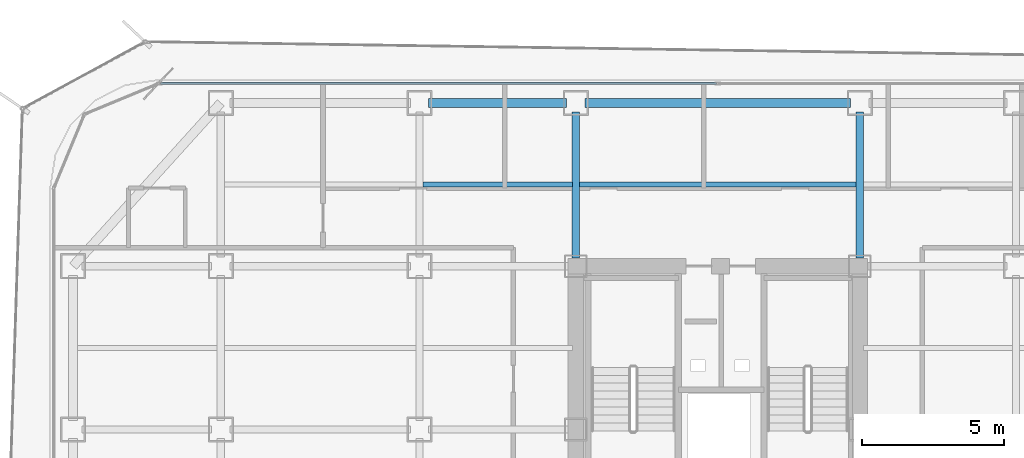
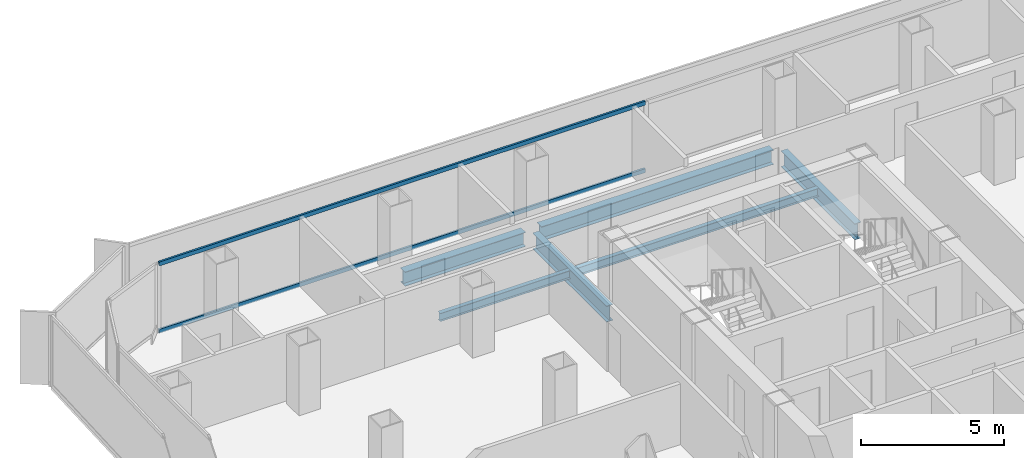
# One storey, part 11 of 21: 6 beams, 2 members, 1 element without a shape of its own.
"""IFC4 building model written with IfcOpenShell, lengths in metres."""

from ifc_helpers import new_model, si_unit, direction, frame, origin, origin_2d, place, context, subcontext, project, spatial, hollow_rectangle, i_section, extrude, source, transform, mapped, material, layer, layer_set, material_profile, profile_set, type_object, element, aggregate, save


model = new_model("IFC4")

# Units and contexts
model_context = context("Model", 3, precision=1e-05, world=origin(), true_north=direction((0.0, 1.0)))
body_context = subcontext(model_context, "Body", "Model", "MODEL_VIEW")
ifc_project = project(units=[si_unit("LENGTHUNIT", "METRE"), si_unit("AREAUNIT", "SQUARE_METRE"), si_unit("VOLUMEUNIT", "CUBIC_METRE"), si_unit("PLANEANGLEUNIT", "RADIAN"), si_unit("MASSUNIT", "GRAM", prefix="KILO")], contexts=[model_context])

# Site, building, storey
site_placement = place(None, origin())
site = spatial("IfcSite", under=ifc_project, at=site_placement, CompositionType="ELEMENT")
building_placement = place(site_placement, origin())
building = spatial("IfcBuilding", under=site, at=building_placement, Name="Kolveth Station Tower", CompositionType="ELEMENT")
storey_placement = place(building_placement, frame((0.0, 0.0, 127.89990234375)))
storey = spatial("IfcBuildingStorey", under=building, at=storey_placement, Name="L35", CompositionType="ELEMENT", Elevation=127.89990234375)

# Beams
ifc_material_1 = material(Name="Steel S355", Category="steel")
ifc_material_profile_1 = material_profile(ifc_material_1, i_section(OverallWidth=0.323974609375, OverallDepth=0.611083984375, WebThickness=0.0126953125, FlangeThickness=0.01904296875, at=origin_2d()), Name="W610x155")
ifc_profile_set_1 = profile_set([ifc_material_profile_1], Name="Steel S355")
beam_type_1 = type_object("IfcBeamType", Name="Beam_SP2", PredefinedType="SPANDREL", material=ifc_profile_set_1)
shared_shape_1 = source(origin(), body_context, "Body", "SweptSolid", [
    extrude(i_section(OverallWidth=0.323974609375, OverallDepth=0.611083984375, WebThickness=0.0126953125, FlangeThickness=0.01904296875, at=origin_2d()), origin(), (0.0, 0.0, 1.0), 4.85986328125),
])
beam_1_placement = place(storey_placement, frame((13.320068359375, 34.5, -0.555419921875), z_axis=(1.0, 0.0, 0.0), x_axis=(0.0, 1.0, 0.0)))
element("IfcBeam", 1, at=beam_1_placement, inside=storey, type_object=beam_type_1, Name="L35 Perimeter Spandrel BM-L35-PN-2", PredefinedType="SPANDREL", context=body_context, shape_type="MappedRepresentation", body=[
    mapped(shared_shape_1, transform((0.0, 0.0, 0.0), x_axis=(1.0, 0.0, 0.0), y_axis=(0.0, 1.0, 0.0), z_axis=(0.0, 0.0, 1.0), scale=1.0)),
])
shared_shape_2 = source(origin(), body_context, "Body", "SweptSolid", [
    extrude(i_section(OverallWidth=0.323974609375, OverallDepth=0.611083984375, WebThickness=0.0126953125, FlangeThickness=0.01904296875, at=origin_2d()), origin(), (0.0, 0.0, 1.0), 9.35986328125),
])
beam_2_placement = place(storey_placement, frame((18.820068359375, 34.5, -0.555419921875), z_axis=(1.0, 0.0, 0.0), x_axis=(0.0, 1.0, 0.0)))
element("IfcBeam", 2, at=beam_2_placement, inside=storey, type_object=beam_type_1, Name="L35 Perimeter Spandrel BM-L35-PN-3", PredefinedType="SPANDREL", context=body_context, shape_type="MappedRepresentation", body=[
    mapped(shared_shape_2, transform((0.0, 0.0, 0.0), x_axis=(1.0, 0.0, 0.0), y_axis=(0.0, 1.0, 0.0), z_axis=(0.0, 0.0, 1.0), scale=1.0)),
])
ifc_material_profile_2 = material_profile(ifc_material_1, i_section(OverallWidth=0.25390625, OverallDepth=0.68798828125, WebThickness=0.01318359375, FlangeThickness=0.02099609375, at=origin_2d()), Name="W690x152")
ifc_profile_set_2 = profile_set([ifc_material_profile_2], Name="Steel S355")
beam_type_2 = type_object("IfcBeamType", Name="Beam_B4", PredefinedType="BEAM", material=ifc_profile_set_2)
shared_shape_3 = source(origin(), body_context, "Body", "SweptSolid", [
    extrude(i_section(OverallWidth=0.25390625, OverallDepth=0.68798828125, WebThickness=0.01318359375, FlangeThickness=0.02099609375, at=origin_2d()), origin(), (0.0, 0.0, 1.0), 5.14990234375),
])
for number, where, z_axis, x_axis, name in (
    (3, (18.5, 29.030029296875, -0.593994140625), (0.0, 1.0, 0.0), (-1.0, 0.0, 0.0), "L35 Primary Girder BM-L35-GX185-6"),
    (4, (28.5, 29.030029296875, -0.593994140625), (0.0, 1.0, 0.0), (-1.0, 0.0, 0.0), "L35 Primary Girder BM-L35-GX285-6"),
):
    element("IfcBeam", number, at=place(storey_placement, frame(where, z_axis=z_axis, x_axis=x_axis)), inside=storey, type_object=beam_type_2, Name=name, PredefinedType="BEAM", context=body_context, shape_type="MappedRepresentation", body=[
        mapped(shared_shape_3, transform((0.0, 0.0, 0.0), x_axis=(1.0, 0.0, 0.0), y_axis=(0.0, 1.0, 0.0), z_axis=(0.0, 0.0, 1.0), scale=1.0)),
    ])
ifc_material_profile_3 = material_profile(ifc_material_1, i_section(OverallWidth=0.1708984375, OverallDepth=0.35205078125, WebThickness=0.0068359375, FlangeThickness=0.009765625, at=origin_2d()), Name="W360x44")
ifc_profile_set_3 = profile_set([ifc_material_profile_3], Name="Steel S355")
beam_type_3 = type_object("IfcBeamType", Name="Beam_J2", PredefinedType="JOIST", material=ifc_profile_set_3)
shared_shape_4 = source(origin(), body_context, "Body", "SweptSolid", [
    extrude(i_section(OverallWidth=0.1708984375, OverallDepth=0.35205078125, WebThickness=0.0068359375, FlangeThickness=0.009765625, at=origin_2d()), origin(), (0.0, 0.0, 1.0), 5.25),
])
beam_3_placement = place(storey_placement, frame((13.125, 31.625, -0.42578125), z_axis=(1.0, 0.0, 0.0), x_axis=(0.0, 1.0, 0.0)))
element("IfcBeam", 5, at=beam_3_placement, inside=storey, type_object=beam_type_3, Name="L35 Secondary Joist JST-L35-3-6", PredefinedType="JOIST", context=body_context, shape_type="MappedRepresentation", body=[
    mapped(shared_shape_4, transform((0.0, 0.0, 0.0), x_axis=(1.0, 0.0, 0.0), y_axis=(0.0, 1.0, 0.0), z_axis=(0.0, 0.0, 1.0), scale=1.0)),
])
shared_shape_5 = source(origin(), body_context, "Body", "SweptSolid", [
    extrude(i_section(OverallWidth=0.1708984375, OverallDepth=0.35205078125, WebThickness=0.0068359375, FlangeThickness=0.009765625, at=origin_2d()), origin(), (0.0, 0.0, 1.0), 9.75),
])
beam_4_placement = place(storey_placement, frame((18.625, 31.625, -0.42578125), z_axis=(1.0, 0.0, 0.0), x_axis=(0.0, 1.0, 0.0)))
element("IfcBeam", 6, at=beam_4_placement, inside=storey, type_object=beam_type_3, Name="L35 Secondary Joist JST-L35-4-6", PredefinedType="JOIST", context=body_context, shape_type="MappedRepresentation", body=[
    mapped(shared_shape_5, transform((0.0, 0.0, 0.0), x_axis=(1.0, 0.0, 0.0), y_axis=(0.0, 1.0, 0.0), z_axis=(0.0, 0.0, 1.0), scale=1.0)),
])

# Curtain wall, members
ifc_material_2 = material(Name="Aluminium 6063-T6 and low-E dark glass", Category="aluminium")
ifc_layer = layer(ifc_material_2, 0.18994140625)
ifc_layer_set = layer_set([ifc_layer], Name="Aluminium 6063-T6 and low-E dark glass")
curtain_wall_type = type_object("IfcCurtainWallType", Name="CurtainWall_CW-Z2", PredefinedType="NOTDEFINED", material=ifc_layer_set)
curtain_wall_placement = place(storey_placement, origin())
curtain_wall = element("IfcCurtainWall", 7, at=curtain_wall_placement, inside=storey, type_object=curtain_wall_type, Name="L35 Inner Thermal Curtain Wall 6", PredefinedType="NOTDEFINED")
ifc_material_3 = material(Name="Black anodized aluminium 6063-T6", Category="aluminium")
ifc_material_profile_4 = material_profile(ifc_material_3, hollow_rectangle(XDim=0.080078125, YDim=0.169921875, WallThickness=0.0048828125, at=origin_2d()), Name="ALU-80x170x5")
ifc_profile_set_4 = profile_set([ifc_material_profile_4], Name="Black anodized aluminium 6063-T6")
member_type = type_object("IfcMemberType", Name="Transom_TR2", PredefinedType="USERDEFINED", material=ifc_profile_set_4)
shared_shape_6 = source(origin(), body_context, "Body", "SweptSolid", [
    extrude(hollow_rectangle(XDim=0.080078125, YDim=0.169921875, WallThickness=0.0048828125, at=origin_2d()), origin(), (0.0, 0.0, 1.0), 19.580078125),
])
member_1_placement = place(storey_placement, frame((23.4599609375, 35.179931640625, 0.0400390625), z_axis=(-1.0, 0.0, 0.0), x_axis=(0.0, -1.0, 0.0)))
member_1 = element("IfcMember", 8, at=member_1_placement, type_object=member_type, Name="CW-Z2 transom 2.1", ObjectType="TRANSOM", PredefinedType="USERDEFINED", context=body_context, shape_type="MappedRepresentation", body=[
    mapped(shared_shape_6, transform((0.0, 0.0, 0.0), x_axis=(1.0, 0.0, 0.0), y_axis=(0.0, 1.0, 0.0), z_axis=(0.0, 0.0, 1.0), scale=1.0)),
])
member_2_placement = place(storey_placement, frame((23.4599609375, 35.179931640625, 2.91015625), z_axis=(-1.0, 0.0, 0.0), x_axis=(0.0, -1.0, 0.0)))
member_2 = element("IfcMember", 9, at=member_2_placement, type_object=member_type, Name="CW-Z2 transom 2.2", ObjectType="TRANSOM", PredefinedType="USERDEFINED", context=body_context, shape_type="MappedRepresentation", body=[
    mapped(shared_shape_6, transform((0.0, 0.0, 0.0), x_axis=(1.0, 0.0, 0.0), y_axis=(0.0, 1.0, 0.0), z_axis=(0.0, 0.0, 1.0), scale=1.0)),
])
aggregate(curtain_wall, [member_1, member_2])

save(model, "model.ifc")
